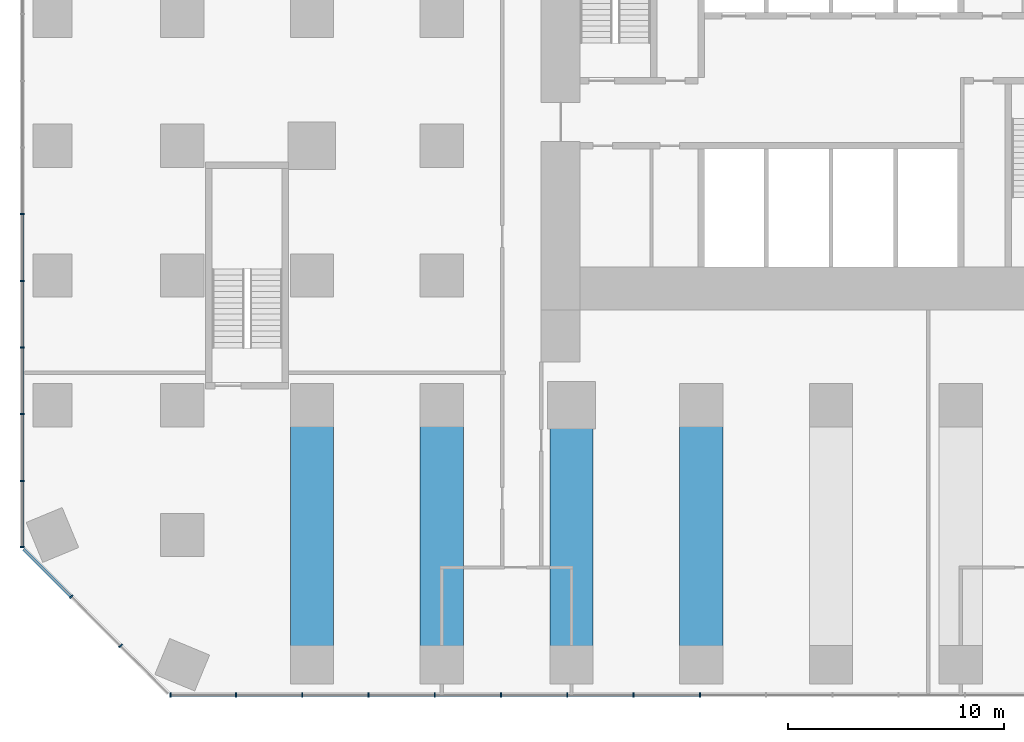
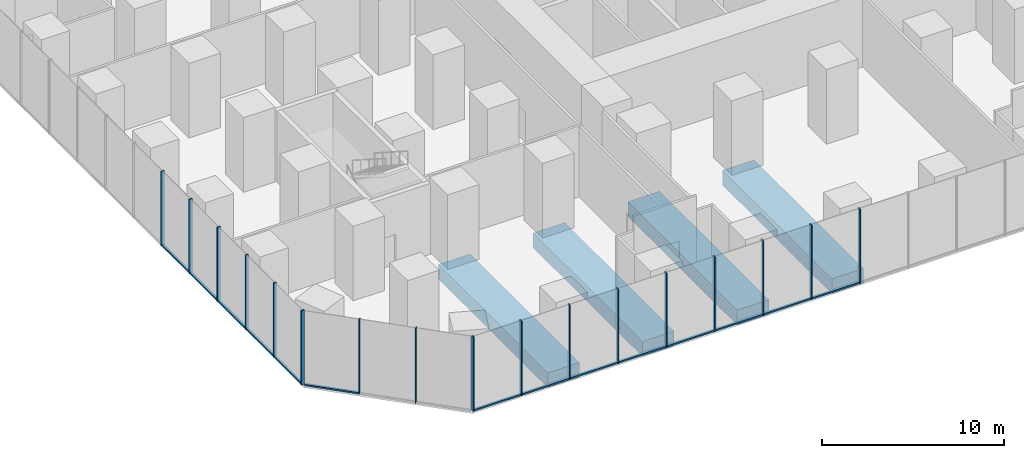
# One storey, part 2 of 15: 31 members, 4 beams, 3 elements without a shape of their own.
"""IFC4 building model written with IfcOpenShell, lengths in metres."""

from ifc_helpers import new_model, si_unit, direction, frame, origin, origin_2d, place, context, subcontext, project, spatial, rectangle, extrude, material, layer, layer_set, material_profile, profile_set, type_object, element, aggregate, save


model = new_model("IFC4")

# Units and contexts
model_context = context("Model", 3, precision=1e-05, world=origin(), true_north=direction((0.0, 1.0)))
body_context = subcontext(model_context, "Body", "Model", "MODEL_VIEW")
ifc_project = project(units=[si_unit("LENGTHUNIT", "METRE"), si_unit("AREAUNIT", "SQUARE_METRE"), si_unit("VOLUMEUNIT", "CUBIC_METRE"), si_unit("PLANEANGLEUNIT", "RADIAN"), si_unit("MASSUNIT", "GRAM", prefix="KILO")], contexts=[model_context])

# Site, building, storey
site_placement = place(None, origin())
site = spatial("IfcSite", under=ifc_project, at=site_placement, CompositionType="ELEMENT")
building_placement = place(site_placement, origin())
building = spatial("IfcBuilding", under=site, at=building_placement, Name="Highveld Stack Headquarters", CompositionType="ELEMENT")
storey_placement = place(building_placement, frame((0.0, 0.0, 6.0)))
storey = spatial("IfcBuildingStorey", under=building, at=storey_placement, Name="L01", CompositionType="ELEMENT", Elevation=6.0)

# Beams
ifc_material_1 = material(Name="Concrete C60/75", Category="concrete")
ifc_material_profile_1 = material_profile(ifc_material_1, rectangle(XDim=2.0, YDim=1.0, at=origin_2d()), Name="RC 2000x1000")
ifc_profile_set_1 = profile_set([ifc_material_profile_1], Name="Concrete C60/75")
beam_type = type_object("IfcBeamType", Name="BAND BEAM RC 2000x1000 C60/75", PredefinedType="BEAM", material=ifc_profile_set_1)
for number, where, z_axis, x_axis, name in (
    (1, (-18.0, -24.0, -0.75), (0.0, 1.0, 0.0), (-1.0, 0.0, 0.0), "Band beam 3/A-3/C L01"),
    (2, (-12.0, -24.0, -0.75), (0.0, 1.0, 0.0), (-1.0, 0.0, 0.0), "Band beam 4/A-4/C L01"),
    (3, (-6.0, -24.0, -0.75), (0.0, 1.0, 0.0), (-1.0, 0.0, 0.0), "Band beam 5/A-5/C L01"),
    (4, (0.0, -24.0, -0.75), (0.0, 1.0, 0.0), (-1.0, 0.0, 0.0), "Band beam 6/A-6/C L01"),
):
    element("IfcBeam", number, at=place(storey_placement, frame(where, z_axis=z_axis, x_axis=x_axis)), inside=storey, type_object=beam_type, Name=name, PredefinedType="BEAM", context=body_context, shape_type="SweptSolid", body=[
        extrude(rectangle(XDim=2.0, YDim=1.0, at=origin_2d()), origin(), (0.0, 0.0, 1.0), 12.0),
    ])

# Curtain wall, members
ifc_material_2 = material(Name="Aluminium bronze anodised", Category="aluminium")
ifc_layer = layer(ifc_material_2, 0.199951171875)
ifc_layer_set = layer_set([ifc_layer], Name="Aluminium bronze anodised")
curtain_wall_type = type_object("IfcCurtainWallType", Name="CW3 PODIUM STICK CURTAIN WALL", PredefinedType="NOTDEFINED", material=ifc_layer_set)
curtain_wall_1_placement = place(storey_placement, origin())
curtain_wall_1 = element("IfcCurtainWall", 5, at=curtain_wall_1_placement, inside=storey, type_object=curtain_wall_type, Name="Curtain wall CW3 L01 S", PredefinedType="NOTDEFINED")
ifc_material_3 = material(Name="Aluminium bronze anodised", Category="aluminium")
ifc_material_profile_2 = material_profile(ifc_material_3, rectangle(XDim=0.199951171875, YDim=0.06494140625, at=origin_2d()), Name="CW3 MULLION 65x200")
ifc_profile_set_2 = profile_set([ifc_material_profile_2], Name="Aluminium bronze anodised")
member_type_1 = type_object("IfcMemberType", Name="CW3 MULLION 65x200", PredefinedType="MULLION", material=ifc_profile_set_2)
member_1_placement = place(storey_placement, frame((-24.54736328125, -25.39990234375, 0.0), z_axis=(0.0, 0.0, 1.0), x_axis=(0.0, 1.0, 0.0)))
member_1 = element("IfcMember", 6, at=member_1_placement, type_object=member_type_1, Name="CW3 mullion L01 1", PredefinedType="MULLION", context=body_context, shape_type="SweptSolid", body=[
    extrude(rectangle(XDim=0.199951171875, YDim=0.06494140625, at=origin_2d()), origin(), (0.0, 0.0, 1.0), 5.0),
])
member_2_placement = place(storey_placement, frame((-21.515380859375, -25.39990234375, 0.0), z_axis=(0.0, 0.0, 1.0), x_axis=(0.0, 1.0, 0.0)))
member_2 = element("IfcMember", 7, at=member_2_placement, type_object=member_type_1, Name="CW3 mullion L01 2", PredefinedType="MULLION", context=body_context, shape_type="SweptSolid", body=[
    extrude(rectangle(XDim=0.199951171875, YDim=0.06494140625, at=origin_2d()), origin(), (0.0, 0.0, 1.0), 5.0),
])
member_3_placement = place(storey_placement, frame((-18.450927734375, -25.39990234375, 0.0), z_axis=(0.0, 0.0, 1.0), x_axis=(0.0, 1.0, 0.0)))
member_3 = element("IfcMember", 8, at=member_3_placement, type_object=member_type_1, Name="CW3 mullion L01 3", PredefinedType="MULLION", context=body_context, shape_type="SweptSolid", body=[
    extrude(rectangle(XDim=0.199951171875, YDim=0.06494140625, at=origin_2d()), origin(), (0.0, 0.0, 1.0), 5.0),
])
member_4_placement = place(storey_placement, frame((-15.38671875, -25.39990234375, 0.0), z_axis=(0.0, 0.0, 1.0), x_axis=(0.0, 1.0, 0.0)))
member_4 = element("IfcMember", 9, at=member_4_placement, type_object=member_type_1, Name="CW3 mullion L01 4", PredefinedType="MULLION", context=body_context, shape_type="SweptSolid", body=[
    extrude(rectangle(XDim=0.199951171875, YDim=0.06494140625, at=origin_2d()), origin(), (0.0, 0.0, 1.0), 5.0),
])
member_5_placement = place(storey_placement, frame((-12.322265625, -25.39990234375, 0.0), z_axis=(0.0, 0.0, 1.0), x_axis=(0.0, 1.0, 0.0)))
member_5 = element("IfcMember", 10, at=member_5_placement, type_object=member_type_1, Name="CW3 mullion L01 5", PredefinedType="MULLION", context=body_context, shape_type="SweptSolid", body=[
    extrude(rectangle(XDim=0.199951171875, YDim=0.06494140625, at=origin_2d()), origin(), (0.0, 0.0, 1.0), 5.0),
])
member_6_placement = place(storey_placement, frame((-9.2578125, -25.39990234375, 0.0), z_axis=(0.0, 0.0, 1.0), x_axis=(0.0, 1.0, 0.0)))
member_6 = element("IfcMember", 11, at=member_6_placement, type_object=member_type_1, Name="CW3 mullion L01 6", PredefinedType="MULLION", context=body_context, shape_type="SweptSolid", body=[
    extrude(rectangle(XDim=0.199951171875, YDim=0.06494140625, at=origin_2d()), origin(), (0.0, 0.0, 1.0), 5.0),
])
member_7_placement = place(storey_placement, frame((-6.193359375, -25.39990234375, 0.0), z_axis=(0.0, 0.0, 1.0), x_axis=(0.0, 1.0, 0.0)))
member_7 = element("IfcMember", 12, at=member_7_placement, type_object=member_type_1, Name="CW3 mullion L01 7", PredefinedType="MULLION", context=body_context, shape_type="SweptSolid", body=[
    extrude(rectangle(XDim=0.199951171875, YDim=0.06494140625, at=origin_2d()), origin(), (0.0, 0.0, 1.0), 5.0),
])
member_8_placement = place(storey_placement, frame((-3.12890625, -25.39990234375, 0.0), z_axis=(0.0, 0.0, 1.0), x_axis=(0.0, 1.0, 0.0)))
member_8 = element("IfcMember", 13, at=member_8_placement, type_object=member_type_1, Name="CW3 mullion L01 8", PredefinedType="MULLION", context=body_context, shape_type="SweptSolid", body=[
    extrude(rectangle(XDim=0.199951171875, YDim=0.06494140625, at=origin_2d()), origin(), (0.0, 0.0, 1.0), 5.0),
])
member_9_placement = place(storey_placement, frame((-0.064453125, -25.39990234375, 0.0), z_axis=(0.0, 0.0, 1.0), x_axis=(0.0, 1.0, 0.0)))
member_9 = element("IfcMember", 14, at=member_9_placement, type_object=member_type_1, Name="CW3 mullion L01 9", PredefinedType="MULLION", context=body_context, shape_type="SweptSolid", body=[
    extrude(rectangle(XDim=0.199951171875, YDim=0.06494140625, at=origin_2d()), origin(), (0.0, 0.0, 1.0), 5.0),
])

curtain_wall_2_placement = place(storey_placement, origin())
curtain_wall_2 = element("IfcCurtainWall", 15, at=curtain_wall_2_placement, inside=storey, type_object=curtain_wall_type, Name="Curtain wall CW3 L01 W", PredefinedType="NOTDEFINED")
member_10_placement = place(storey_placement, frame((-31.39990234375, -3.165771484375, 0.0), z_axis=(0.0, 0.0, 1.0), x_axis=(1.0, 0.0, 0.0)))
member_10 = element("IfcMember", 16, at=member_10_placement, type_object=member_type_1, Name="CW3 mullion L01 10", PredefinedType="MULLION", context=body_context, shape_type="SweptSolid", body=[
    extrude(rectangle(XDim=0.199951171875, YDim=0.06494140625, at=origin_2d()), origin(), (0.0, 0.0, 1.0), 5.0),
])
member_11_placement = place(storey_placement, frame((-31.39990234375, -6.24853515625, 0.0), z_axis=(0.0, 0.0, 1.0), x_axis=(1.0, 0.0, 0.0)))
member_11 = element("IfcMember", 17, at=member_11_placement, type_object=member_type_1, Name="CW3 mullion L01 11", PredefinedType="MULLION", context=body_context, shape_type="SweptSolid", body=[
    extrude(rectangle(XDim=0.199951171875, YDim=0.06494140625, at=origin_2d()), origin(), (0.0, 0.0, 1.0), 5.0),
])
member_12_placement = place(storey_placement, frame((-31.39990234375, -9.331298828125, 0.0), z_axis=(0.0, 0.0, 1.0), x_axis=(1.0, 0.0, 0.0)))
member_12 = element("IfcMember", 18, at=member_12_placement, type_object=member_type_1, Name="CW3 mullion L01 12", PredefinedType="MULLION", context=body_context, shape_type="SweptSolid", body=[
    extrude(rectangle(XDim=0.199951171875, YDim=0.06494140625, at=origin_2d()), origin(), (0.0, 0.0, 1.0), 5.0),
])
member_13_placement = place(storey_placement, frame((-31.39990234375, -12.414306640625, 0.0), z_axis=(0.0, 0.0, 1.0), x_axis=(1.0, 0.0, 0.0)))
member_13 = element("IfcMember", 19, at=member_13_placement, type_object=member_type_1, Name="CW3 mullion L01 13", PredefinedType="MULLION", context=body_context, shape_type="SweptSolid", body=[
    extrude(rectangle(XDim=0.199951171875, YDim=0.06494140625, at=origin_2d()), origin(), (0.0, 0.0, 1.0), 5.0),
])
member_14_placement = place(storey_placement, frame((-31.39990234375, -15.4970703125, 0.0), z_axis=(0.0, 0.0, 1.0), x_axis=(1.0, 0.0, 0.0)))
member_14 = element("IfcMember", 20, at=member_14_placement, type_object=member_type_1, Name="CW3 mullion L01 14", PredefinedType="MULLION", context=body_context, shape_type="SweptSolid", body=[
    extrude(rectangle(XDim=0.199951171875, YDim=0.06494140625, at=origin_2d()), origin(), (0.0, 0.0, 1.0), 5.0),
])
member_15_placement = place(storey_placement, frame((-31.39990234375, -18.54736328125, 0.0), z_axis=(0.0, 0.0, 1.0), x_axis=(1.0, 0.0, 0.0)))
member_15 = element("IfcMember", 21, at=member_15_placement, type_object=member_type_1, Name="CW3 mullion L01 15", PredefinedType="MULLION", context=body_context, shape_type="SweptSolid", body=[
    extrude(rectangle(XDim=0.199951171875, YDim=0.06494140625, at=origin_2d()), origin(), (0.0, 0.0, 1.0), 5.0),
])

curtain_wall_3_placement = place(storey_placement, origin())
curtain_wall_3 = element("IfcCurtainWall", 22, at=curtain_wall_3_placement, inside=storey, type_object=curtain_wall_type, Name="Curtain wall CW3 L01 SW", PredefinedType="NOTDEFINED")
member_16_placement = place(storey_placement, frame((-29.126708984375, -20.853271484375, 0.0), z_axis=(0.0, 0.0, 1.0), x_axis=(0.707106781187, 0.707106781187, 0.0)))
member_16 = element("IfcMember", 23, at=member_16_placement, type_object=member_type_1, Name="CW3 mullion L01 1", PredefinedType="MULLION", context=body_context, shape_type="SweptSolid", body=[
    extrude(rectangle(XDim=0.199951171875, YDim=0.06494140625, at=origin_2d()), origin(), (0.0, 0.0, 1.0), 5.0),
])
member_17_placement = place(storey_placement, frame((-26.853271484375, -23.126708984375, 0.0), z_axis=(0.0, 0.0, 1.0), x_axis=(0.707106781187, 0.707106781187, 0.0)))
member_17 = element("IfcMember", 24, at=member_17_placement, type_object=member_type_1, Name="CW3 mullion L01 2", PredefinedType="MULLION", context=body_context, shape_type="SweptSolid", body=[
    extrude(rectangle(XDim=0.199951171875, YDim=0.06494140625, at=origin_2d()), origin(), (0.0, 0.0, 1.0), 5.0),
])

# Member
ifc_material_4 = material(Name="Aluminium bronze anodised", Category="aluminium")
ifc_material_profile_3 = material_profile(ifc_material_4, rectangle(XDim=0.14990234375, YDim=0.10009765625, at=origin_2d()), Name="CW3 TRANSOM 150x100")
ifc_profile_set_3 = profile_set([ifc_material_profile_3], Name="Aluminium bronze anodised")
member_type_2 = type_object("IfcMemberType", Name="CW3 STACK TRANSOM 150x100", PredefinedType="USERDEFINED", material=ifc_profile_set_3)
member_18_placement = place(storey_placement, frame((-24.514892578125, -25.39990234375, 0.050048828125), z_axis=(1.0, 0.0, 0.0), x_axis=(0.0, 1.0, 0.0)))
member_18 = element("IfcMember", 25, at=member_18_placement, type_object=member_type_2, Name="CW3 transom L01 1.1", ObjectType="TRANSOM", PredefinedType="USERDEFINED", context=body_context, shape_type="SweptSolid", body=[
    extrude(rectangle(XDim=0.14990234375, YDim=0.10009765625, at=origin_2d()), origin(), (0.0, 0.0, 1.0), 2.966796875),
])

member_19_placement = place(storey_placement, frame((-21.48291015625, -25.39990234375, 0.050048828125), z_axis=(1.0, 0.0, 0.0), x_axis=(0.0, 1.0, 0.0)))
member_19 = element("IfcMember", 26, at=member_19_placement, type_object=member_type_2, Name="CW3 transom L01 2.1", ObjectType="TRANSOM", PredefinedType="USERDEFINED", context=body_context, shape_type="SweptSolid", body=[
    extrude(rectangle(XDim=0.14990234375, YDim=0.10009765625, at=origin_2d()), origin(), (0.0, 0.0, 1.0), 2.99951171875),
])

member_20_placement = place(storey_placement, frame((-18.41845703125, -25.39990234375, 0.050048828125), z_axis=(1.0, 0.0, 0.0), x_axis=(0.0, 1.0, 0.0)))
member_20 = element("IfcMember", 27, at=member_20_placement, type_object=member_type_2, Name="CW3 transom L01 3.1", ObjectType="TRANSOM", PredefinedType="USERDEFINED", context=body_context, shape_type="SweptSolid", body=[
    extrude(rectangle(XDim=0.14990234375, YDim=0.10009765625, at=origin_2d()), origin(), (0.0, 0.0, 1.0), 2.999267578125),
])

member_21_placement = place(storey_placement, frame((-15.35400390625, -25.39990234375, 0.050048828125), z_axis=(1.0, 0.0, 0.0), x_axis=(0.0, 1.0, 0.0)))
member_21 = element("IfcMember", 28, at=member_21_placement, type_object=member_type_2, Name="CW3 transom L01 4.1", ObjectType="TRANSOM", PredefinedType="USERDEFINED", context=body_context, shape_type="SweptSolid", body=[
    extrude(rectangle(XDim=0.14990234375, YDim=0.10009765625, at=origin_2d()), origin(), (0.0, 0.0, 1.0), 2.999267578125),
])

member_22_placement = place(storey_placement, frame((-12.289794921875, -25.39990234375, 0.050048828125), z_axis=(1.0, 0.0, 0.0), x_axis=(0.0, 1.0, 0.0)))
member_22 = element("IfcMember", 29, at=member_22_placement, type_object=member_type_2, Name="CW3 transom L01 5.1", ObjectType="TRANSOM", PredefinedType="USERDEFINED", context=body_context, shape_type="SweptSolid", body=[
    extrude(rectangle(XDim=0.14990234375, YDim=0.10009765625, at=origin_2d()), origin(), (0.0, 0.0, 1.0), 2.99951171875),
])

member_23_placement = place(storey_placement, frame((-9.22509765625, -25.39990234375, 0.050048828125), z_axis=(1.0, 0.0, 0.0), x_axis=(0.0, 1.0, 0.0)))
member_23 = element("IfcMember", 30, at=member_23_placement, type_object=member_type_2, Name="CW3 transom L01 6.1", ObjectType="TRANSOM", PredefinedType="USERDEFINED", context=body_context, shape_type="SweptSolid", body=[
    extrude(rectangle(XDim=0.14990234375, YDim=0.10009765625, at=origin_2d()), origin(), (0.0, 0.0, 1.0), 2.999267578125),
])

member_24_placement = place(storey_placement, frame((-6.160888671875, -25.39990234375, 0.050048828125), z_axis=(1.0, 0.0, 0.0), x_axis=(0.0, 1.0, 0.0)))
member_24 = element("IfcMember", 31, at=member_24_placement, type_object=member_type_2, Name="CW3 transom L01 7.1", ObjectType="TRANSOM", PredefinedType="USERDEFINED", context=body_context, shape_type="SweptSolid", body=[
    extrude(rectangle(XDim=0.14990234375, YDim=0.10009765625, at=origin_2d()), origin(), (0.0, 0.0, 1.0), 2.99951171875),
])

member_25_placement = place(storey_placement, frame((-3.096435546875, -25.39990234375, 0.050048828125), z_axis=(1.0, 0.0, 0.0), x_axis=(0.0, 1.0, 0.0)))
member_25 = element("IfcMember", 32, at=member_25_placement, type_object=member_type_2, Name="CW3 transom L01 8.1", ObjectType="TRANSOM", PredefinedType="USERDEFINED", context=body_context, shape_type="SweptSolid", body=[
    extrude(rectangle(XDim=0.14990234375, YDim=0.10009765625, at=origin_2d()), origin(), (0.0, 0.0, 1.0), 2.99951171875),
])

aggregate(curtain_wall_1, [member_1, member_2, member_3, member_4, member_5, member_6, member_7, member_8, member_9, member_18, member_19, member_20, member_21, member_22, member_23, member_24, member_25])

member_26_placement = place(storey_placement, frame((-31.39990234375, -3.1982421875, 0.050048828125), z_axis=(0.0, -1.0, 0.0), x_axis=(1.0, 0.0, 0.0)))
member_26 = element("IfcMember", 33, at=member_26_placement, type_object=member_type_2, Name="CW3 transom L01 10.1", ObjectType="TRANSOM", PredefinedType="USERDEFINED", context=body_context, shape_type="SweptSolid", body=[
    extrude(rectangle(XDim=0.14990234375, YDim=0.10009765625, at=origin_2d()), origin(), (0.0, 0.0, 1.0), 3.017822265625),
])

member_27_placement = place(storey_placement, frame((-31.39990234375, -6.281005859375, 0.050048828125), z_axis=(0.0, -1.0, 0.0), x_axis=(1.0, 0.0, 0.0)))
member_27 = element("IfcMember", 34, at=member_27_placement, type_object=member_type_2, Name="CW3 transom L01 11.1", ObjectType="TRANSOM", PredefinedType="USERDEFINED", context=body_context, shape_type="SweptSolid", body=[
    extrude(rectangle(XDim=0.14990234375, YDim=0.10009765625, at=origin_2d()), origin(), (0.0, 0.0, 1.0), 3.017822265625),
])

member_28_placement = place(storey_placement, frame((-31.39990234375, -9.364013671875, 0.050048828125), z_axis=(0.0, -1.0, 0.0), x_axis=(1.0, 0.0, 0.0)))
member_28 = element("IfcMember", 35, at=member_28_placement, type_object=member_type_2, Name="CW3 transom L01 12.1", ObjectType="TRANSOM", PredefinedType="USERDEFINED", context=body_context, shape_type="SweptSolid", body=[
    extrude(rectangle(XDim=0.14990234375, YDim=0.10009765625, at=origin_2d()), origin(), (0.0, 0.0, 1.0), 3.017578125),
])

member_29_placement = place(storey_placement, frame((-31.39990234375, -12.44677734375, 0.050048828125), z_axis=(0.0, -1.0, 0.0), x_axis=(1.0, 0.0, 0.0)))
member_29 = element("IfcMember", 36, at=member_29_placement, type_object=member_type_2, Name="CW3 transom L01 13.1", ObjectType="TRANSOM", PredefinedType="USERDEFINED", context=body_context, shape_type="SweptSolid", body=[
    extrude(rectangle(XDim=0.14990234375, YDim=0.10009765625, at=origin_2d()), origin(), (0.0, 0.0, 1.0), 3.017822265625),
])

member_30_placement = place(storey_placement, frame((-31.39990234375, -15.529541015625, 0.050048828125), z_axis=(0.0, -1.0, 0.0), x_axis=(1.0, 0.0, 0.0)))
member_30 = element("IfcMember", 37, at=member_30_placement, type_object=member_type_2, Name="CW3 transom L01 14.1", ObjectType="TRANSOM", PredefinedType="USERDEFINED", context=body_context, shape_type="SweptSolid", body=[
    extrude(rectangle(XDim=0.14990234375, YDim=0.10009765625, at=origin_2d()), origin(), (0.0, 0.0, 1.0), 2.9853515625),
])

aggregate(curtain_wall_2, [member_10, member_11, member_12, member_13, member_14, member_15, member_26, member_27, member_28, member_29, member_30])

member_31_placement = place(storey_placement, frame((-31.329345703125, -18.650634765625, 0.050048828125), z_axis=(0.707106781187, -0.707106781187, 0.0), x_axis=(0.707106781187, 0.707106781187, 0.0)))
member_31 = element("IfcMember", 38, at=member_31_placement, type_object=member_type_2, Name="CW3 transom L01 1.1", ObjectType="TRANSOM", PredefinedType="USERDEFINED", context=body_context, shape_type="SweptSolid", body=[
    extrude(rectangle(XDim=0.14990234375, YDim=0.10009765625, at=origin_2d()), origin(), (0.0, 0.0, 1.0), 3.08251953125),
])

aggregate(curtain_wall_3, [member_16, member_17, member_31])

save(model, "model.ifc")
